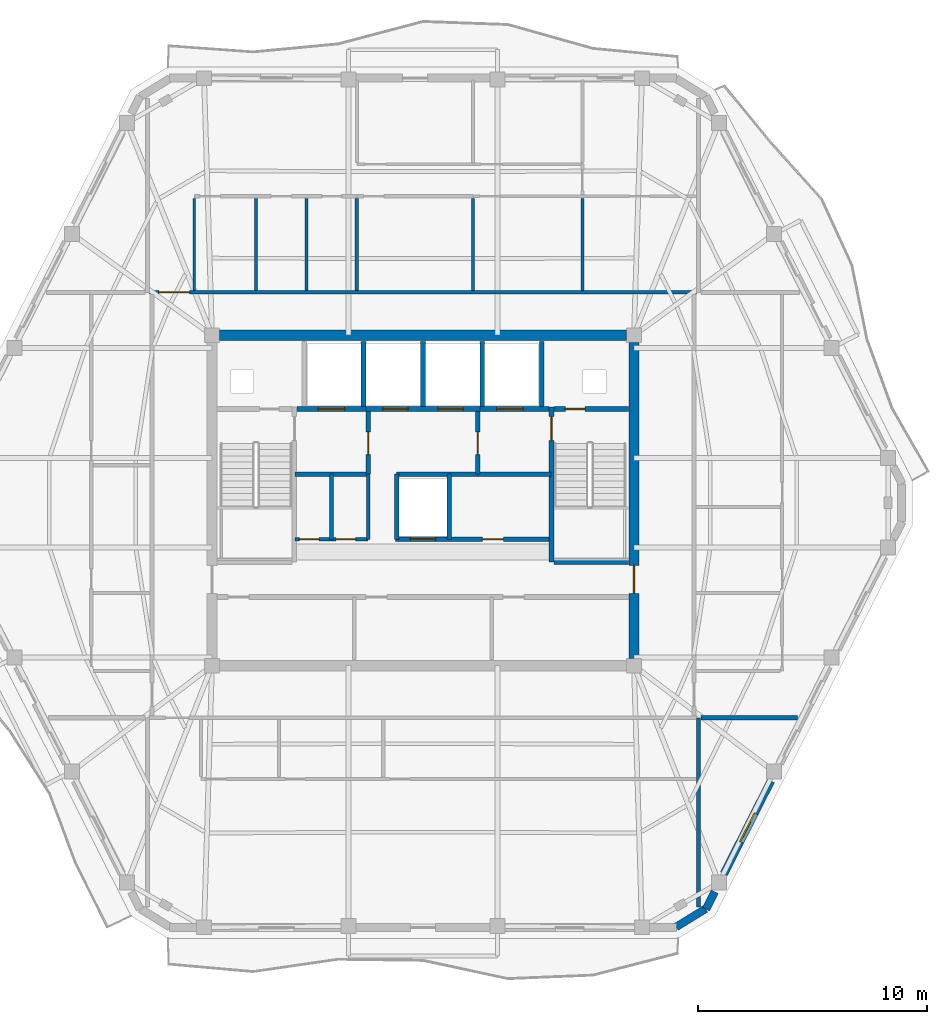
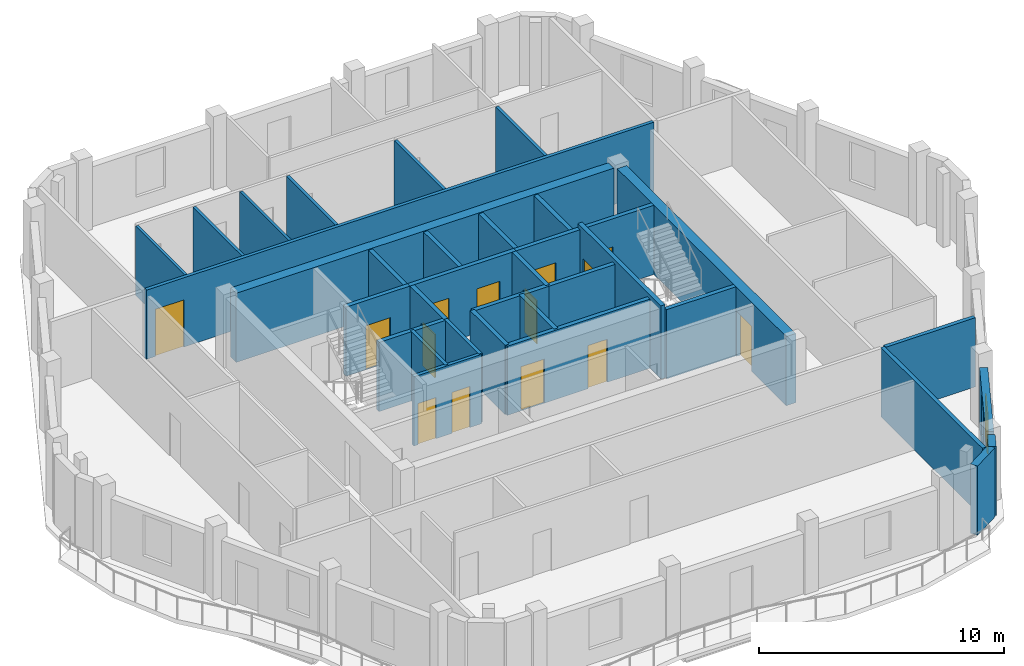
# One storey, part 5 of 10: 35 walls, 14 doors, 1 window, 15 openings.
"""IFC4 building model written with IfcOpenShell, lengths in metres."""

from ifc_helpers import new_model, si_unit, direction, frame, frame_2d, origin, place, context, subcontext, project, spatial, rectangle, extrude, material, layer, layer_set, type_object, element, fill, save


model = new_model("IFC4")

# Units and contexts
model_context = context("Model", 3, precision=1e-05, world=origin(), true_north=direction((0.0, 1.0)))
body_context = subcontext(model_context, "Body", "Model", "MODEL_VIEW")
ifc_project = project(units=[si_unit("LENGTHUNIT", "METRE"), si_unit("AREAUNIT", "SQUARE_METRE"), si_unit("VOLUMEUNIT", "CUBIC_METRE"), si_unit("PLANEANGLEUNIT", "RADIAN"), si_unit("MASSUNIT", "GRAM", prefix="KILO")], contexts=[model_context])

# Site, building, storey
site_placement = place(None, origin())
site = spatial("IfcSite", under=ifc_project, at=site_placement, CompositionType="ELEMENT")
building_placement = place(site_placement, origin())
building = spatial("IfcBuilding", under=site, at=building_placement, Name="Cinnabar Lancet Tower", CompositionType="ELEMENT")
storey_placement = place(building_placement, frame((0.0, 0.0, 263.5)))
storey = spatial("IfcBuildingStorey", under=building, at=storey_placement, Name="L70", CompositionType="ELEMENT", Elevation=263.5)

# Wall, openings, doors
ifc_material_1 = material(Name="Acoustic twin-stud gypsum partition", Category="gypsum")
ifc_layer_1 = layer(ifc_material_1, 0.159912109375)
ifc_layer_set_1 = layer_set([ifc_layer_1], Name="Acoustic twin-stud gypsum partition")
wall_type_1 = type_object("IfcWallType", Name="ARC-WL-CORR-160", PredefinedType="PARTITIONING", material=ifc_layer_set_1)
wall_1_placement = place(storey_placement, frame((26.800048828125, 24.199951171875, 0.0), z_axis=(0.0, 0.0, 1.0), x_axis=(1.0, 0.0, 0.0)))
wall_1 = element("IfcWall", 1, at=wall_1_placement, inside=storey, type_object=wall_type_1, Name="CW-REC5S-L70", PredefinedType="PARTITIONING", context=body_context, shape_type="SweptSolid", body=[
    extrude(rectangle(XDim=3.199951171875, YDim=0.159912109375, at=frame_2d((1.60009765625, 0.0))), origin(), (0.0, 0.0, 1.0), 3.449951171875),
])
opening_1_placement = place(wall_1_placement, frame((0.199951171875, 0.0, 0.0)))
opening_1 = element("IfcOpeningElement", 2, at=opening_1_placement, cuts=wall_1, Name="Opening PD-02", PredefinedType="OPENING", context=body_context, shape_type="SweptSolid", body=[
    extrude(rectangle(XDim=0.85009765625, YDim=2.050048828125, at=frame_2d((0.425048828125, 1.02490234375))), frame((0.0, 0.08984375, 0.0), z_axis=(0.0, -1.0, 0.0), x_axis=(1.0, 0.0, 0.0)), (0.0, 0.0, 1.0), 0.179931640625),
])
opening_2_placement = place(wall_1_placement, frame((1.800048828125, 0.0, 0.0)))
opening_2 = element("IfcOpeningElement", 3, at=opening_2_placement, cuts=wall_1, Name="Opening PD-02", PredefinedType="OPENING", context=body_context, shape_type="SweptSolid", body=[
    extrude(rectangle(XDim=0.85009765625, YDim=2.050048828125, at=frame_2d((0.425048828125, 1.02490234375))), frame((0.0, 0.08984375, 0.0), z_axis=(0.0, -1.0, 0.0), x_axis=(1.0, 0.0, 0.0)), (0.0, 0.0, 1.0), 0.179931640625),
])
ifc_material_2 = material(Name="Fire-rated steel riser access door", Category="steel")
door_type_1 = type_object("IfcDoorType", Name="ARC-DR-RISER", OperationType="NOTDEFINED", PredefinedType="DOOR", material=ifc_material_2)
door_1_placement = place(opening_1_placement, origin())
door_1 = element("IfcDoor", 4, at=door_1_placement, inside=storey, type_object=door_type_1, Name="DR-L70-REC5A", OperationType="SINGLE_SWING_LEFT", OverallHeight=2.050048828125, OverallWidth=0.85009765625, PredefinedType="DOOR", context=body_context, shape_type="SweptSolid", body=[
    extrude(rectangle(XDim=0.85009765625, YDim=2.050048828125, at=frame_2d((0.425048828125, 1.02490234375))), frame((0.0, 0.02490234375, 0.0), z_axis=(0.0, -1.0, 0.0), x_axis=(1.0, 0.0, 0.0)), (0.0, 0.0, 1.0), 0.050048828125),
])
fill(opening_1, door_1)
door_2_placement = place(opening_2_placement, origin())
door_2 = element("IfcDoor", 5, at=door_2_placement, inside=storey, type_object=door_type_1, Name="DR-L70-REC5B", OperationType="SINGLE_SWING_RIGHT", OverallHeight=2.050048828125, OverallWidth=0.85009765625, PredefinedType="DOOR", context=body_context, shape_type="SweptSolid", body=[
    extrude(rectangle(XDim=0.85009765625, YDim=2.050048828125, at=frame_2d((0.425048828125, 1.02490234375))), frame((0.0, 0.02490234375, 0.0), z_axis=(0.0, -1.0, 0.0), x_axis=(1.0, 0.0, 0.0)), (0.0, 0.0, 1.0), 0.050048828125),
])
fill(opening_2, door_2)

# Walls
for number, where, z_axis, x_axis, name in (
    (6, (30.0, 24.199951171875, 0.0), (0.0, 0.0, 1.0), (0.0, 1.0, 0.0), "CW-REC5E-L70"),
    (7, (28.39990234375, 24.199951171875, 0.0), (0.0, 0.0, 1.0), (0.0, 1.0, 0.0), "CW-REC5D-L70"),
):
    element("IfcWall", number, at=place(storey_placement, frame(where, z_axis=z_axis, x_axis=x_axis)), inside=storey, type_object=wall_type_1, Name=name, PredefinedType="PARTITIONING", context=body_context, shape_type="SweptSolid", body=[
        extrude(rectangle(XDim=2.85009765625, YDim=0.159912109375, at=frame_2d((1.425048828125, 0.0))), origin(), (0.0, 0.0, 1.0), 3.449951171875),
    ])

# Wall, opening, door
wall_2_placement = place(storey_placement, frame((20.445068359375, 35.0, 0.0), z_axis=(0.0, 0.0, 1.0), x_axis=(1.0, 0.0, 0.0)))
wall_2 = element("IfcWall", 8, at=wall_2_placement, inside=storey, type_object=wall_type_1, Name="L70 Unit N01 Corridor Wall", PredefinedType="PARTITIONING", context=body_context, shape_type="SweptSolid", body=[
    extrude(rectangle(XDim=23.909912109375, YDim=0.159912109375, at=frame_2d((11.955078125, 0.0))), origin(), (0.0, 0.0, 1.0), 3.449951171875),
])
opening_3_placement = place(wall_2_placement, frame((0.405029296875, 0.0, 0.0)))
opening_3 = element("IfcOpeningElement", 9, at=opening_3_placement, cuts=wall_2, Name="Opening UD-02", PredefinedType="OPENING", context=body_context, shape_type="SweptSolid", body=[
    extrude(rectangle(XDim=1.35009765625, YDim=2.35009765625, at=frame_2d((0.675048828125, 1.175048828125))), frame((0.0, 0.08984375, 0.0), z_axis=(0.0, -1.0, 0.0), x_axis=(1.0, 0.0, 0.0)), (0.0, 0.0, 1.0), 0.179931640625),
])
ifc_material_3 = material(Name="Double-leaf solid timber penthouse entrance door", Category="wood")
door_type_2 = type_object("IfcDoorType", Name="ARC-DR-UNIT-PH", OperationType="NOTDEFINED", PredefinedType="DOOR", material=ifc_material_3)
door_3_placement = place(opening_3_placement, origin())
door_3 = element("IfcDoor", 10, at=door_3_placement, inside=storey, type_object=door_type_2, Name="DR-L70-N01-ENT", OperationType="SINGLE_SWING_RIGHT", OverallHeight=2.35009765625, OverallWidth=1.35009765625, PredefinedType="DOOR", context=body_context, shape_type="SweptSolid", body=[
    extrude(rectangle(XDim=1.35009765625, YDim=2.35009765625, at=frame_2d((0.675048828125, 1.175048828125))), frame((0.0, 0.02490234375, 0.0), z_axis=(0.0, -1.0, 0.0), x_axis=(1.0, 0.0, 0.0)), (0.0, 0.0, 1.0), 0.050048828125),
])
fill(opening_3, door_3)

# Walls
ifc_material_4 = material(Name="Fire-rated twin-frame acoustic drywall", Category="gypsum")
ifc_layer_2 = layer(ifc_material_4, 0.179931640625)
ifc_layer_set_2 = layer_set([ifc_layer_2], Name="Fire-rated twin-frame acoustic drywall")
wall_type_2 = type_object("IfcWallType", Name="ARC-WL-PARTY-180", PredefinedType="PARTITIONING", material=ifc_layer_set_2)
wall_3_placement = place(storey_placement, frame((44.449951171875, 8.118896484375, 0.0), z_axis=(0.0, 0.0, 1.0), x_axis=(0.0, 1.0, 0.0)))
element("IfcWall", 11, at=wall_3_placement, inside=storey, type_object=wall_type_2, Name="PW-L70-SPTY-444", PredefinedType="PARTITIONING", context=body_context, shape_type="SweptSolid", body=[
    extrude(rectangle(XDim=8.281005859375, YDim=0.179931640625, at=frame_2d((4.140625, 0.0))), origin(), (0.0, 0.0, 1.0), 3.449951171875),
])
wall_4_placement = place(storey_placement, frame((44.544921875, 16.39990234375, 0.0), z_axis=(0.0, 0.0, 1.0), x_axis=(1.0, 0.0, 0.0)))
element("IfcWall", 12, at=wall_4_placement, inside=storey, type_object=wall_type_2, Name="PW-L70-ESB", PredefinedType="PARTITIONING", context=body_context, shape_type="SweptSolid", body=[
    extrude(rectangle(XDim=4.22119140625, YDim=0.179931640625, at=frame_2d((2.110595703125, 0.0))), origin(), (0.0, 0.0, 1.0), 3.449951171875),
])
ifc_material_5 = material(Name="Autoclaved aerated concrete blockwork", Category="masonry")
ifc_layer_3 = layer(ifc_material_5, 0.199951171875)
ifc_layer_set_3 = layer_set([ifc_layer_3], Name="Autoclaved aerated concrete blockwork")
wall_type_3 = type_object("IfcWallType", Name="ARC-WL-SHAFT-200", PredefinedType="PLUMBINGWALL", material=ifc_layer_set_3)
wall_5_placement = place(storey_placement, frame((38.125, 23.199951171875, 0.0), z_axis=(0.0, 0.0, 1.0), x_axis=(1.0, 0.0, 0.0)))
element("IfcWall", 13, at=wall_5_placement, inside=storey, type_object=wall_type_3, Name="CW-ST2S-L70", PredefinedType="PLUMBINGWALL", context=body_context, shape_type="SweptSolid", body=[
    extrude(rectangle(XDim=3.27001953125, YDim=0.199951171875, at=frame_2d((1.635009765625, 0.0))), origin(), (0.0, 0.0, 1.0), 3.449951171875),
])

# Wall, opening, door
wall_6_placement = place(storey_placement, frame((26.885009765625, 29.89990234375, 0.0), z_axis=(0.0, 0.0, 1.0), x_axis=(1.0, 0.0, 0.0)))
wall_6 = element("IfcWall", 14, at=wall_6_placement, inside=storey, type_object=wall_type_3, Name="CW-FL1-L70", PredefinedType="PLUMBINGWALL", context=body_context, shape_type="SweptSolid", body=[
    extrude(rectangle(XDim=3.014892578125, YDim=0.199951171875, at=frame_2d((1.50732421875, 0.0))), origin(), (0.0, 0.0, 1.0), 3.449951171875),
])
opening_4_placement = place(wall_6_placement, frame((0.93994140625, 0.0, 0.0)))
opening_4 = element("IfcOpeningElement", 15, at=opening_4_placement, cuts=wall_6, Name="Opening LD-02", PredefinedType="OPENING", context=body_context, shape_type="SweptSolid", body=[
    extrude(rectangle(XDim=1.14990234375, YDim=2.199951171875, at=frame_2d((0.574951171875, 1.10009765625))), frame((0.0, 0.10986328125, 0.0), z_axis=(0.0, -1.0, 0.0), x_axis=(1.0, 0.0, 0.0)), (0.0, 0.0, 1.0), 0.219970703125),
])
ifc_material_6 = material(Name="Fire-rated stainless steel firefighting lift landing door", Category="steel")
door_type_3 = type_object("IfcDoorType", Name="ARC-DR-LD-FIRE", OperationType="NOTDEFINED", PredefinedType="DOOR", material=ifc_material_6)
door_4_placement = place(opening_4_placement, origin())
door_4 = element("IfcDoor", 16, at=door_4_placement, inside=storey, type_object=door_type_3, Name="L70 Firefighting Lift FL-1 Landing Door", OperationType="DOUBLE_DOOR_SLIDING", OverallHeight=2.199951171875, OverallWidth=1.14990234375, PredefinedType="DOOR", context=body_context, shape_type="SweptSolid", body=[
    extrude(rectangle(XDim=1.14990234375, YDim=2.199951171875, at=frame_2d((0.574951171875, 1.10009765625))), frame((0.0, 0.02490234375, 0.0), z_axis=(0.0, -1.0, 0.0), x_axis=(1.0, 0.0, 0.0)), (0.0, 0.0, 1.0), 0.050048828125),
])
fill(opening_4, door_4)

# Wall, openings, doors
wall_7_placement = place(storey_placement, frame((29.89990234375, 29.89990234375, 0.0), z_axis=(0.0, 0.0, 1.0), x_axis=(1.0, 0.0, 0.0)))
wall_7 = element("IfcWall", 17, at=wall_7_placement, inside=storey, type_object=wall_type_3, Name="CW-PL78-L70", PredefinedType="PLUMBINGWALL", context=body_context, shape_type="SweptSolid", body=[
    extrude(rectangle(XDim=5.0, YDim=0.199951171875, at=frame_2d((2.5, 0.0))), origin(), (0.0, 0.0, 1.0), 3.449951171875),
])
opening_5_placement = place(wall_7_placement, frame((0.75, 0.0, 0.0)))
opening_5 = element("IfcOpeningElement", 18, at=opening_5_placement, cuts=wall_7, Name="Opening LD-01", PredefinedType="OPENING", context=body_context, shape_type="SweptSolid", body=[
    extrude(rectangle(XDim=1.10009765625, YDim=2.199951171875, at=frame_2d((0.550048828125, 1.10009765625))), frame((0.0, 0.10986328125, 0.0), z_axis=(0.0, -1.0, 0.0), x_axis=(1.0, 0.0, 0.0)), (0.0, 0.0, 1.0), 0.219970703125),
])
opening_6_placement = place(wall_7_placement, frame((3.14990234375, 0.0, 0.0)))
opening_6 = element("IfcOpeningElement", 19, at=opening_6_placement, cuts=wall_7, Name="Opening LD-01", PredefinedType="OPENING", context=body_context, shape_type="SweptSolid", body=[
    extrude(rectangle(XDim=1.10009765625, YDim=2.199951171875, at=frame_2d((0.550048828125, 1.10009765625))), frame((0.0, 0.10986328125, 0.0), z_axis=(0.0, -1.0, 0.0), x_axis=(1.0, 0.0, 0.0)), (0.0, 0.0, 1.0), 0.219970703125),
])
ifc_material_7 = material(Name="Brushed stainless steel sliding lift door", Category="steel")
door_type_4 = type_object("IfcDoorType", Name="ARC-DR-LD-PASS", OperationType="NOTDEFINED", PredefinedType="DOOR", material=ifc_material_7)
door_5_placement = place(opening_5_placement, origin())
door_5 = element("IfcDoor", 20, at=door_5_placement, inside=storey, type_object=door_type_4, Name="L70 Lift PL-7 Landing Door", OperationType="DOUBLE_DOOR_SLIDING", OverallHeight=2.199951171875, OverallWidth=1.10009765625, PredefinedType="DOOR", context=body_context, shape_type="SweptSolid", body=[
    extrude(rectangle(XDim=1.10009765625, YDim=2.199951171875, at=frame_2d((0.550048828125, 1.10009765625))), frame((0.0, 0.02490234375, 0.0), z_axis=(0.0, -1.0, 0.0), x_axis=(1.0, 0.0, 0.0)), (0.0, 0.0, 1.0), 0.050048828125),
])
fill(opening_5, door_5)
door_6_placement = place(opening_6_placement, origin())
door_6 = element("IfcDoor", 21, at=door_6_placement, inside=storey, type_object=door_type_4, Name="L70 Lift PL-8 Landing Door", OperationType="DOUBLE_DOOR_SLIDING", OverallHeight=2.199951171875, OverallWidth=1.10009765625, PredefinedType="DOOR", context=body_context, shape_type="SweptSolid", body=[
    extrude(rectangle(XDim=1.10009765625, YDim=2.199951171875, at=frame_2d((0.550048828125, 1.10009765625))), frame((0.0, 0.02490234375, 0.0), z_axis=(0.0, -1.0, 0.0), x_axis=(1.0, 0.0, 0.0)), (0.0, 0.0, 1.0), 0.050048828125),
])
fill(opening_6, door_6)

# Wall, opening, door
wall_8_placement = place(storey_placement, frame((34.89990234375, 29.89990234375, 0.0), z_axis=(0.0, 0.0, 1.0), x_axis=(1.0, 0.0, 0.0)))
wall_8 = element("IfcWall", 22, at=wall_8_placement, inside=storey, type_object=wall_type_3, Name="CW-FL2-L70", PredefinedType="PLUMBINGWALL", context=body_context, shape_type="SweptSolid", body=[
    extrude(rectangle(XDim=3.01513671875, YDim=0.199951171875, at=frame_2d((1.507568359375, 0.0))), origin(), (0.0, 0.0, 1.0), 3.449951171875),
])
opening_7_placement = place(wall_8_placement, frame((0.72509765625, 0.0, 0.0)))
opening_7 = element("IfcOpeningElement", 23, at=opening_7_placement, cuts=wall_8, Name="Opening LD-02", PredefinedType="OPENING", context=body_context, shape_type="SweptSolid", body=[
    extrude(rectangle(XDim=1.14990234375, YDim=2.199951171875, at=frame_2d((0.574951171875, 1.10009765625))), frame((0.0, 0.10986328125, 0.0), z_axis=(0.0, -1.0, 0.0), x_axis=(1.0, 0.0, 0.0)), (0.0, 0.0, 1.0), 0.219970703125),
])
door_7_placement = place(opening_7_placement, origin())
door_7 = element("IfcDoor", 24, at=door_7_placement, inside=storey, type_object=door_type_3, Name="L70 Firefighting Lift FL-2 Landing Door", OperationType="DOUBLE_DOOR_SLIDING", OverallHeight=2.199951171875, OverallWidth=1.14990234375, PredefinedType="DOOR", context=body_context, shape_type="SweptSolid", body=[
    extrude(rectangle(XDim=1.14990234375, YDim=2.199951171875, at=frame_2d((0.574951171875, 1.10009765625))), frame((0.0, 0.02490234375, 0.0), z_axis=(0.0, -1.0, 0.0), x_axis=(1.0, 0.0, 0.0)), (0.0, 0.0, 1.0), 0.050048828125),
])
fill(opening_7, door_7)

wall_9_placement = place(storey_placement, frame((38.125, 29.89990234375, 0.0), z_axis=(0.0, 0.0, 1.0), x_axis=(1.0, 0.0, 0.0)))
wall_9 = element("IfcWall", 25, at=wall_9_placement, inside=storey, type_object=wall_type_3, Name="CW-NSH-E-L70", PredefinedType="PLUMBINGWALL", context=body_context, shape_type="SweptSolid", body=[
    extrude(rectangle(XDim=3.27001953125, YDim=0.199951171875, at=frame_2d((1.635009765625, 0.0))), origin(), (0.0, 0.0, 1.0), 3.449951171875),
])
opening_8_placement = place(wall_9_placement, frame((0.5, 0.0, 0.0)))
opening_8 = element("IfcOpeningElement", 26, at=opening_8_placement, cuts=wall_9, Name="Opening PD-02", PredefinedType="OPENING", context=body_context, shape_type="SweptSolid", body=[
    extrude(rectangle(XDim=0.85009765625, YDim=2.050048828125, at=frame_2d((0.425048828125, 1.02490234375))), frame((0.0, 0.10986328125, 0.0), z_axis=(0.0, -1.0, 0.0), x_axis=(1.0, 0.0, 0.0)), (0.0, 0.0, 1.0), 0.219970703125),
])
door_8_placement = place(opening_8_placement, origin())
door_8 = element("IfcDoor", 27, at=door_8_placement, inside=storey, type_object=door_type_1, Name="L70 East Riser Access Door", OperationType="SINGLE_SWING_RIGHT", OverallHeight=2.050048828125, OverallWidth=0.85009765625, PredefinedType="DOOR", context=body_context, shape_type="SweptSolid", body=[
    extrude(rectangle(XDim=0.85009765625, YDim=2.050048828125, at=frame_2d((0.425048828125, 1.02490234375))), frame((0.0, 0.02490234375, 0.0), z_axis=(0.0, -1.0, 0.0), x_axis=(1.0, 0.0, 0.0)), (0.0, 0.0, 1.0), 0.050048828125),
])
fill(opening_8, door_8)

# Walls
for number, where, z_axis, x_axis, name in (
    (28, (29.800048828125, 30.0, 0.0), (0.0, 0.0, 1.0), (0.0, 1.0, 0.0), "CW-NSH-D2-L70"),
    (29, (32.39990234375, 30.0, 0.0), (0.0, 0.0, 1.0), (0.0, 1.0, 0.0), "CW-NSH-D3-L70"),
    (30, (35.0, 30.0, 0.0), (0.0, 0.0, 1.0), (0.0, 1.0, 0.0), "CW-NSH-D4-L70"),
    (31, (37.60009765625, 30.0, 0.0), (0.0, 0.0, 1.0), (0.0, 1.0, 0.0), "CW-NSH-D5-L70"),
):
    element("IfcWall", number, at=place(storey_placement, frame(where, z_axis=z_axis, x_axis=x_axis)), inside=storey, type_object=wall_type_3, Name=name, PredefinedType="PLUMBINGWALL", context=body_context, shape_type="SweptSolid", body=[
        extrude(rectangle(XDim=2.85009765625, YDim=0.199951171875, at=frame_2d((1.425048828125, 0.0))), origin(), (0.0, 0.0, 1.0), 3.449951171875),
    ])

# Wall, opening, door
wall_10_placement = place(storey_placement, frame((30.0, 27.050048828125, 0.0), z_axis=(0.0, 0.0, 1.0), x_axis=(0.0, 1.0, 0.0)))
wall_10 = element("IfcWall", 32, at=wall_10_placement, inside=storey, type_object=wall_type_3, Name="CW-FF1E-L70", PredefinedType="PLUMBINGWALL", context=body_context, shape_type="SweptSolid", body=[
    extrude(rectangle(XDim=2.75, YDim=0.199951171875, at=frame_2d((1.375, 0.0))), origin(), (0.0, 0.0, 1.0), 3.449951171875),
])
opening_9_placement = place(wall_10_placement, frame((0.85009765625, 0.0, 0.0)))
opening_9 = element("IfcOpeningElement", 33, at=opening_9_placement, cuts=wall_10, Name="Opening FD-01", PredefinedType="OPENING", context=body_context, shape_type="SweptSolid", body=[
    extrude(rectangle(XDim=1.0, YDim=2.14990234375, at=frame_2d((0.5, 1.074951171875))), frame((0.0, 0.10986328125, 0.0), z_axis=(0.0, -1.0, 0.0), x_axis=(1.0, 0.0, 0.0)), (0.0, 0.0, 1.0), 0.219970703125),
])
ifc_material_8 = material(Name="Fire-rated timber-core lobby door", Category="wood")
door_type_5 = type_object("IfcDoorType", Name="ARC-DR-FFAL", OperationType="NOTDEFINED", PredefinedType="DOOR", material=ifc_material_8)
door_9_placement = place(opening_9_placement, origin())
door_9 = element("IfcDoor", 34, at=door_9_placement, inside=storey, type_object=door_type_5, Name="L70 FFAL-1 Lobby Fire Door", OperationType="SINGLE_SWING_RIGHT", OverallHeight=2.14990234375, OverallWidth=1.0, PredefinedType="DOOR", context=body_context, shape_type="SweptSolid", body=[
    extrude(rectangle(XDim=1.0, YDim=2.14990234375, at=frame_2d((0.5, 1.074951171875))), frame((0.0, 0.02490234375, 0.0), z_axis=(0.0, -1.0, 0.0), x_axis=(1.0, 0.0, 0.0)), (0.0, 0.0, 1.0), 0.050048828125),
])
fill(opening_9, door_9)

# Wall
wall_11_placement = place(storey_placement, frame((26.800048828125, 27.050048828125, 0.0), z_axis=(0.0, 0.0, 1.0), x_axis=(1.0, 0.0, 0.0)))
element("IfcWall", 35, at=wall_11_placement, inside=storey, type_object=wall_type_3, Name="CW-FF1S-L70", PredefinedType="PLUMBINGWALL", context=body_context, shape_type="SweptSolid", body=[
    extrude(rectangle(XDim=3.199951171875, YDim=0.199951171875, at=frame_2d((1.60009765625, 0.0))), origin(), (0.0, 0.0, 1.0), 3.449951171875),
])

# Wall, opening, door
wall_12_placement = place(storey_placement, frame((34.800048828125, 27.050048828125, 0.0), z_axis=(0.0, 0.0, 1.0), x_axis=(0.0, 1.0, 0.0)))
wall_12 = element("IfcWall", 36, at=wall_12_placement, inside=storey, type_object=wall_type_3, Name="CW-FF2W-L70", PredefinedType="PLUMBINGWALL", context=body_context, shape_type="SweptSolid", body=[
    extrude(rectangle(XDim=2.75, YDim=0.199951171875, at=frame_2d((1.375, 0.0))), origin(), (0.0, 0.0, 1.0), 3.449951171875),
])
opening_10_placement = place(wall_12_placement, frame((0.85009765625, 0.0, 0.0)))
opening_10 = element("IfcOpeningElement", 37, at=opening_10_placement, cuts=wall_12, Name="Opening FD-01", PredefinedType="OPENING", context=body_context, shape_type="SweptSolid", body=[
    extrude(rectangle(XDim=1.0, YDim=2.14990234375, at=frame_2d((0.5, 1.074951171875))), frame((0.0, 0.10986328125, 0.0), z_axis=(0.0, -1.0, 0.0), x_axis=(1.0, 0.0, 0.0)), (0.0, 0.0, 1.0), 0.219970703125),
])
door_10_placement = place(opening_10_placement, origin())
door_10 = element("IfcDoor", 38, at=door_10_placement, inside=storey, type_object=door_type_5, Name="L70 FFAL-2 Lobby Fire Door", OperationType="SINGLE_SWING_LEFT", OverallHeight=2.14990234375, OverallWidth=1.0, PredefinedType="DOOR", context=body_context, shape_type="SweptSolid", body=[
    extrude(rectangle(XDim=1.0, YDim=2.14990234375, at=frame_2d((0.5, 1.074951171875))), frame((0.0, 0.02490234375, 0.0), z_axis=(0.0, -1.0, 0.0), x_axis=(1.0, 0.0, 0.0)), (0.0, 0.0, 1.0), 0.050048828125),
])
fill(opening_10, door_10)

# Wall
wall_13_placement = place(storey_placement, frame((34.800048828125, 27.050048828125, 0.0), z_axis=(0.0, 0.0, 1.0), x_axis=(1.0, 0.0, 0.0)))
element("IfcWall", 39, at=wall_13_placement, inside=storey, type_object=wall_type_3, Name="CW-FF2S-L70", PredefinedType="PLUMBINGWALL", context=body_context, shape_type="SweptSolid", body=[
    extrude(rectangle(XDim=3.199951171875, YDim=0.199951171875, at=frame_2d((1.60009765625, 0.0))), origin(), (0.0, 0.0, 1.0), 3.449951171875),
])

# Wall, openings, doors
wall_14_placement = place(storey_placement, frame((31.199951171875, 24.199951171875, 0.0), z_axis=(0.0, 0.0, 1.0), x_axis=(1.0, 0.0, 0.0)))
wall_14 = element("IfcWall", 40, at=wall_14_placement, inside=storey, type_object=wall_type_3, Name="CW-PL96S-L70", PredefinedType="PLUMBINGWALL", context=body_context, shape_type="SweptSolid", body=[
    extrude(rectangle(XDim=6.800048828125, YDim=0.199951171875, at=frame_2d((3.39990234375, 0.0))), origin(), (0.0, 0.0, 1.0), 3.449951171875),
])
opening_11_placement = place(wall_14_placement, frame((0.64990234375, 0.0, 0.0)))
opening_11 = element("IfcOpeningElement", 41, at=opening_11_placement, cuts=wall_14, Name="Opening LD-01", PredefinedType="OPENING", context=body_context, shape_type="SweptSolid", body=[
    extrude(rectangle(XDim=1.10009765625, YDim=2.199951171875, at=frame_2d((0.550048828125, 1.10009765625))), frame((0.0, 0.10986328125, 0.0), z_axis=(0.0, -1.0, 0.0), x_axis=(1.0, 0.0, 0.0)), (0.0, 0.0, 1.0), 0.219970703125),
])
opening_12_placement = place(wall_14_placement, frame((3.800048828125, 0.0, 0.0)))
opening_12 = element("IfcOpeningElement", 42, at=opening_12_placement, cuts=wall_14, Name="Opening RD-01", PredefinedType="OPENING", context=body_context, shape_type="SweptSolid", body=[
    extrude(rectangle(XDim=0.919921875, YDim=2.14990234375, at=frame_2d((0.4599609375, 1.074951171875))), frame((0.0, 0.10986328125, 0.0), z_axis=(0.0, -1.0, 0.0), x_axis=(1.0, 0.0, 0.0)), (0.0, 0.0, 1.0), 0.219970703125),
])
door_11_placement = place(opening_11_placement, origin())
door_11 = element("IfcDoor", 43, at=door_11_placement, inside=storey, type_object=door_type_4, Name="L70 Lift PL-9 Landing Door", OperationType="DOUBLE_DOOR_SLIDING", OverallHeight=2.199951171875, OverallWidth=1.10009765625, PredefinedType="DOOR", context=body_context, shape_type="SweptSolid", body=[
    extrude(rectangle(XDim=1.10009765625, YDim=2.199951171875, at=frame_2d((0.550048828125, 1.10009765625))), frame((0.0, 0.02490234375, 0.0), z_axis=(0.0, -1.0, 0.0), x_axis=(1.0, 0.0, 0.0)), (0.0, 0.0, 1.0), 0.050048828125),
])
fill(opening_11, door_11)
ifc_material_9 = material(Name="Engineered timber bedroom door", Category="wood")
door_type_6 = type_object("IfcDoorType", Name="ARC-DR-ROOM", OperationType="NOTDEFINED", PredefinedType="DOOR", material=ifc_material_9)
door_12_placement = place(opening_12_placement, origin())
door_12 = element("IfcDoor", 44, at=door_12_placement, inside=storey, type_object=door_type_6, Name="DR-L70-REC6", OperationType="SINGLE_SWING_RIGHT", OverallHeight=2.14990234375, OverallWidth=0.919921875, PredefinedType="DOOR", context=body_context, shape_type="SweptSolid", body=[
    extrude(rectangle(XDim=0.919921875, YDim=2.14990234375, at=frame_2d((0.4599609375, 1.074951171875))), frame((0.0, 0.02490234375, 0.0), z_axis=(0.0, -1.0, 0.0), x_axis=(1.0, 0.0, 0.0)), (0.0, 0.0, 1.0), 0.050048828125),
])
fill(opening_12, door_12)

# Walls
for number, where, z_axis, x_axis, name in (
    (45, (31.25, 24.199951171875, 0.0), (0.0, 0.0, 1.0), (0.0, 1.0, 0.0), "CW-PL9W-L70"),
    (46, (33.550048828125, 24.199951171875, 0.0), (0.0, 0.0, 1.0), (0.0, 1.0, 0.0), "CW-PL9E-L70"),
):
    element("IfcWall", number, at=place(storey_placement, frame(where, z_axis=z_axis, x_axis=x_axis)), inside=storey, type_object=wall_type_3, Name=name, PredefinedType="PLUMBINGWALL", context=body_context, shape_type="SweptSolid", body=[
        extrude(rectangle(XDim=2.85009765625, YDim=0.199951171875, at=frame_2d((1.425048828125, 0.0))), origin(), (0.0, 0.0, 1.0), 3.449951171875),
    ])
wall_15_placement = place(storey_placement, frame((31.25, 27.050048828125, 0.0), z_axis=(0.0, 0.0, 1.0), x_axis=(1.0, 0.0, 0.0)))
element("IfcWall", 47, at=wall_15_placement, inside=storey, type_object=wall_type_3, Name="CW-PL96N-L70", PredefinedType="PLUMBINGWALL", context=body_context, shape_type="SweptSolid", body=[
    extrude(rectangle(XDim=3.550048828125, YDim=0.199951171875, at=frame_2d((1.77490234375, 0.0))), origin(), (0.0, 0.0, 1.0), 3.449951171875),
])
ifc_material_10 = material(Name="Gypsum plasterboard stud partition", Category="gypsum")
ifc_layer_4 = layer(ifc_material_10, 0.125)
ifc_layer_set_4 = layer_set([ifc_layer_4], Name="Gypsum plasterboard stud partition")
wall_type_4 = type_object("IfcWallType", Name="ARC-WL-UNIT-125", PredefinedType="PARTITIONING", material=ifc_layer_set_4)
for number, where, z_axis, x_axis, name in (
    (48, (22.39990234375, 35.0849609375, 0.0), (0.0, 0.0, 1.0), (0.0, 1.0, 0.0), "UW-L70-N01-FOYE"),
    (49, (27.304931640625, 35.0849609375, 0.0), (0.0, 0.0, 1.0), (0.0, 1.0, 0.0), "UW-L70-N01-STD"),
):
    element("IfcWall", number, at=place(storey_placement, frame(where, z_axis=z_axis, x_axis=x_axis)), inside=storey, type_object=wall_type_4, Name=name, PredefinedType="PARTITIONING", context=body_context, shape_type="SweptSolid", body=[
        extrude(rectangle(XDim=4.010986328125, YDim=0.125, at=frame_2d((2.00537109375, 0.0))), origin(), (0.0, 0.0, 1.0), 3.449951171875),
    ])
ifc_material_11 = material(Name="Moisture-resistant cement-board plumbing wall", Category="masonry")
ifc_layer_5 = layer(ifc_material_11, 0.139892578125)
ifc_layer_set_5 = layer_set([ifc_layer_5], Name="Moisture-resistant cement-board plumbing wall")
wall_type_5 = type_object("IfcWallType", Name="ARC-WL-WET-140", PredefinedType="PLUMBINGWALL", material=ifc_layer_set_5)
for number, where, z_axis, x_axis, name in (
    (50, (25.10107421875, 35.0849609375, 0.0), (0.0, 0.0, 1.0), (0.0, 1.0, 0.0), "UW-L70-N01-KDV"),
    (51, (29.508056640625, 35.0849609375, 0.0), (0.0, 0.0, 1.0), (0.0, 1.0, 0.0), "UW-L70-N01-ENSW"),
    (52, (34.587890625, 35.0849609375, 0.0), (0.0, 0.0, 1.0), (0.0, 1.0, 0.0), "UW-L70-N01-ENSE"),
    (53, (39.3701171875, 35.0849609375, 0.0), (0.0, 0.0, 1.0), (0.0, 1.0, 0.0), "UW-L70-N01-UT3"),
):
    element("IfcWall", number, at=place(storey_placement, frame(where, z_axis=z_axis, x_axis=x_axis)), inside=storey, type_object=wall_type_5, Name=name, PredefinedType="PLUMBINGWALL", context=body_context, shape_type="SweptSolid", body=[
        extrude(rectangle(XDim=4.010986328125, YDim=0.139892578125, at=frame_2d((2.00537109375, 0.0))), origin(), (0.0, 0.0, 1.0), 3.449951171875),
    ])
ifc_material_12 = material(Name="Cinnabar red clay brick", Category="masonry")
ifc_layer_6 = layer(ifc_material_12, 0.340087890625)
ifc_layer_set_6 = layer_set([ifc_layer_6], Name="Cinnabar red clay brick")
wall_type_6 = type_object("IfcWallType", Name="ENV-WL-BRK-RED-340", PredefinedType="STANDARD", material=ifc_layer_set_6)
wall_16_placement = place(storey_placement, frame((43.468994140625, 7.2548828125, 0.0), z_axis=(0.0, 0.0, 1.0), x_axis=(0.851680557619, 0.52406128246, 0.0)))
element("IfcWall", 54, at=wall_16_placement, inside=storey, type_object=wall_type_6, Name="L70 Chamfered Corner Brick Pier 2.1", PredefinedType="STANDARD", context=body_context, shape_type="SweptSolid", body=[
    extrude(rectangle(XDim=1.507568359375, YDim=0.340087890625, at=frame_2d((0.75390625, 0.0))), origin(), (0.0, 0.0, 1.0), 3.449951171875),
])
wall_17_placement = place(storey_placement, frame((44.77294921875, 8.029052734375, 0.0), z_axis=(0.0, 0.0, 1.0), x_axis=(0.451907025977, 0.8920650424, 0.0)))
element("IfcWall", 55, at=wall_17_placement, inside=storey, type_object=wall_type_6, Name="L70 Face 2 Masonry Bay Wall 1", PredefinedType="STANDARD", context=body_context, shape_type="SweptSolid", body=[
    extrude(rectangle(XDim=0.85205078125, YDim=0.340087890625, at=frame_2d((0.426025390625, 0.0))), origin(), (0.0, 0.0, 1.0), 3.449951171875),
])

# Wall, opening, window
wall_18_placement = place(storey_placement, frame((45.555908203125, 9.576904296875, 0.0), z_axis=(0.0, 0.0, 1.0), x_axis=(0.45154039276, 0.892250678737, 0.0)))
wall_18 = element("IfcWall", 56, at=wall_18_placement, inside=storey, type_object=wall_type_6, Name="L70 Face 2 Masonry Bay Wall 2", PredefinedType="STANDARD", context=body_context, shape_type="SweptSolid", body=[
    extrude(rectangle(XDim=4.5537109375, YDim=0.340087890625, at=frame_2d((2.27685546875, 0.0))), origin(), (0.0, 0.0, 1.0), 2.98291015625),
])
opening_13_placement = place(wall_18_placement, frame((1.576904296875, 0.0, 0.75)))
opening_13 = element("IfcOpeningElement", 57, at=opening_13_placement, cuts=wall_18, Name="Opening WN-02", PredefinedType="OPENING", context=body_context, shape_type="SweptSolid", body=[
    extrude(rectangle(XDim=1.39990234375, YDim=2.050048828125, at=frame_2d((0.699951171875, 1.02490234375))), frame((0.0, 0.179931640625, 0.0), z_axis=(0.0, -1.0, 0.0), x_axis=(1.0, 0.0, 0.0)), (0.0, 0.0, 1.0), 0.360107421875),
])
ifc_material_13 = material(Name="Thermally broken bronze-anodized aluminium low-E double glazing", Category="aluminium")
window_type = type_object("IfcWindowType", Name="ENV-WN-LANCET-1400", PartitioningType="SINGLE_PANEL", PredefinedType="WINDOW", material=ifc_material_13)
window_placement = place(opening_13_placement, origin())
window = element("IfcWindow", 58, at=window_placement, inside=storey, type_object=window_type, Name="L70 Face 2 Gothic Lancet Window 2", OverallHeight=2.050048828125, OverallWidth=1.39990234375, PartitioningType="SINGLE_PANEL", PredefinedType="WINDOW", context=body_context, shape_type="SweptSolid", body=[
    extrude(rectangle(XDim=1.39990234375, YDim=2.050048828125, at=frame_2d((0.699951171875, 1.02490234375))), frame((0.0, 0.030029296875, 0.0), z_axis=(0.0, -1.0, 0.0), x_axis=(1.0, 0.0, 0.0)), (0.0, 0.0, 1.0), 0.06005859375),
])
fill(opening_13, window)

# Wall
ifc_material_14 = material(Name="Concrete C50/60", Category="concrete")
ifc_layer_7 = layer(ifc_material_14, 0.449951171875)
ifc_layer_set_7 = layer_set([ifc_layer_7], Name="Concrete C50/60")
wall_type_7 = type_object("IfcWallType", Name="STR-WL-CORE-450", PredefinedType="SHEAR", material=ifc_layer_set_7)
wall_19_placement = place(storey_placement, frame((23.5, 33.125, 0.0), z_axis=(0.0, 0.0, 1.0), x_axis=(1.0, 0.0, 0.0)))
element("IfcWall", 59, at=wall_19_placement, inside=storey, type_object=wall_type_7, Name="L70 Core Shear Wall N", PredefinedType="SHEAR", context=body_context, shape_type="SweptSolid", body=[
    extrude(rectangle(XDim=17.800048828125, YDim=0.449951171875, at=frame_2d((8.89990234375, 0.0))), origin(), (0.0, 0.0, 1.0), 3.449951171875),
])

# Wall, opening, door
wall_20_placement = place(storey_placement, frame((41.625, 19.0, 0.0), z_axis=(0.0, 0.0, 1.0), x_axis=(0.0, 1.0, 0.0)))
wall_20 = element("IfcWall", 60, at=wall_20_placement, inside=storey, type_object=wall_type_7, Name="L70 Core Shear Wall E", PredefinedType="SHEAR", context=body_context, shape_type="SweptSolid", body=[
    extrude(rectangle(XDim=13.800048828125, YDim=0.449951171875, at=frame_2d((6.89990234375, 0.0))), origin(), (0.0, 0.0, 1.0), 3.449951171875),
])
opening_14_placement = place(wall_20_placement, frame((2.840087890625, 0.0, 0.0)))
opening_14 = element("IfcOpeningElement", 61, at=opening_14_placement, cuts=wall_20, Name="Opening FD-02", PredefinedType="OPENING", context=body_context, shape_type="SweptSolid", body=[
    extrude(rectangle(XDim=1.219970703125, YDim=2.25, at=frame_2d((0.60986328125, 1.125))), frame((0.0, 0.23486328125, 0.0), z_axis=(0.0, -1.0, 0.0), x_axis=(1.0, 0.0, 0.0)), (0.0, 0.0, 1.0), 0.469970703125),
])
ifc_material_15 = material(Name="Fire-rated double-vision core portal door", Category="wood")
door_type_7 = type_object("IfcDoorType", Name="ARC-DR-CPORT", OperationType="NOTDEFINED", PredefinedType="DOOR", material=ifc_material_15)
door_13_placement = place(opening_14_placement, origin())
door_13 = element("IfcDoor", 62, at=door_13_placement, inside=storey, type_object=door_type_7, Name="L70 East Core Lobby Fire Door", OperationType="SINGLE_SWING_LEFT", OverallHeight=2.25, OverallWidth=1.219970703125, PredefinedType="DOOR", context=body_context, shape_type="SweptSolid", body=[
    extrude(rectangle(XDim=1.219970703125, YDim=2.25, at=frame_2d((0.60986328125, 1.125))), frame((0.0, 0.02490234375, 0.0), z_axis=(0.0, -1.0, 0.0), x_axis=(1.0, 0.0, 0.0)), (0.0, 0.0, 1.0), 0.050048828125),
])
fill(opening_14, door_13)

ifc_material_16 = material(Name="Concrete C50/60", Category="concrete")
ifc_layer_8 = layer(ifc_material_16, 0.199951171875)
ifc_layer_set_8 = layer_set([ifc_layer_8], Name="Concrete C50/60")
wall_type_8 = type_object("IfcWallType", Name="STR-WL-STAIR-200", PredefinedType="SHEAR", material=ifc_layer_set_8)
wall_21_placement = place(storey_placement, frame((38.02001953125, 23.199951171875, 0.0), z_axis=(0.0, 0.0, 1.0), x_axis=(0.0, 1.0, 0.0)))
wall_21 = element("IfcWall", 63, at=wall_21_placement, inside=storey, type_object=wall_type_8, Name="L70 Stair ST-2 Structural Enclosure Wall", PredefinedType="SHEAR", context=body_context, shape_type="SweptSolid", body=[
    extrude(rectangle(XDim=6.780029296875, YDim=0.199951171875, at=frame_2d((3.39013671875, 0.0))), origin(), (0.0, 0.0, 1.0), 3.64990234375),
])
opening_15_placement = place(wall_21_placement, frame((5.320068359375, 0.0, 0.0)))
opening_15 = element("IfcOpeningElement", 64, at=opening_15_placement, cuts=wall_21, Name="Opening SD-01", PredefinedType="OPENING", context=body_context, shape_type="SweptSolid", body=[
    extrude(rectangle(XDim=1.050048828125, YDim=2.14990234375, at=frame_2d((0.52490234375, 1.074951171875))), frame((0.0, 0.10986328125, 0.0), z_axis=(0.0, -1.0, 0.0), x_axis=(1.0, 0.0, 0.0)), (0.0, 0.0, 1.0), 0.219970703125),
])
ifc_material_17 = material(Name="Fire-rated steel stair exit door", Category="steel")
door_type_8 = type_object("IfcDoorType", Name="ARC-DR-STAIR", OperationType="NOTDEFINED", PredefinedType="DOOR", material=ifc_material_17)
door_14_placement = place(opening_15_placement, origin())
door_14 = element("IfcDoor", 65, at=door_14_placement, inside=storey, type_object=door_type_8, Name="L70 Stair ST-2 Fire Door", OperationType="SINGLE_SWING_RIGHT", OverallHeight=2.14990234375, OverallWidth=1.050048828125, PredefinedType="DOOR", context=body_context, shape_type="SweptSolid", body=[
    extrude(rectangle(XDim=1.050048828125, YDim=2.14990234375, at=frame_2d((0.52490234375, 1.074951171875))), frame((0.0, 0.02490234375, 0.0), z_axis=(0.0, -1.0, 0.0), x_axis=(1.0, 0.0, 0.0)), (0.0, 0.0, 1.0), 0.050048828125),
])
fill(opening_15, door_14)

save(model, "model.ifc")
